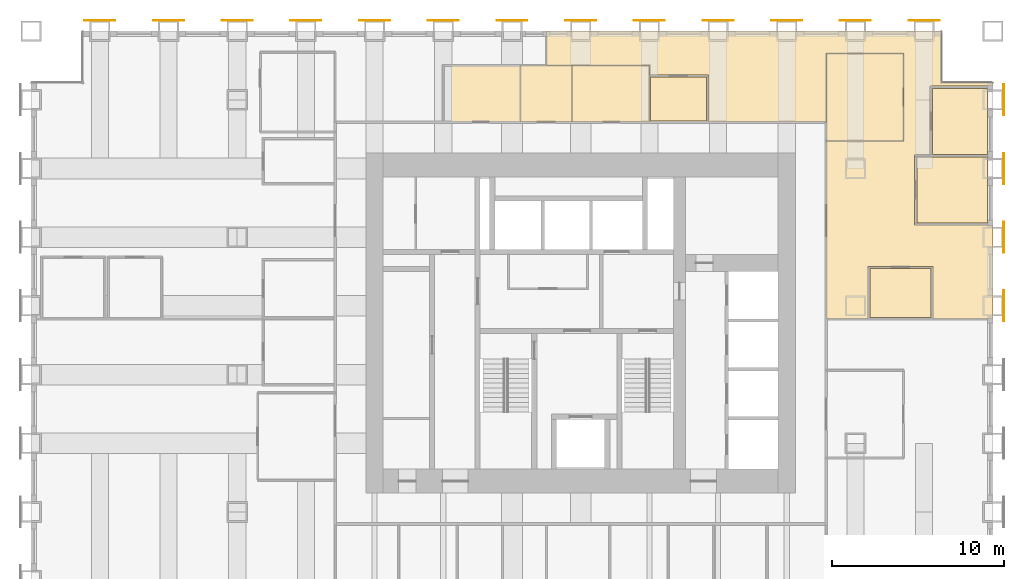
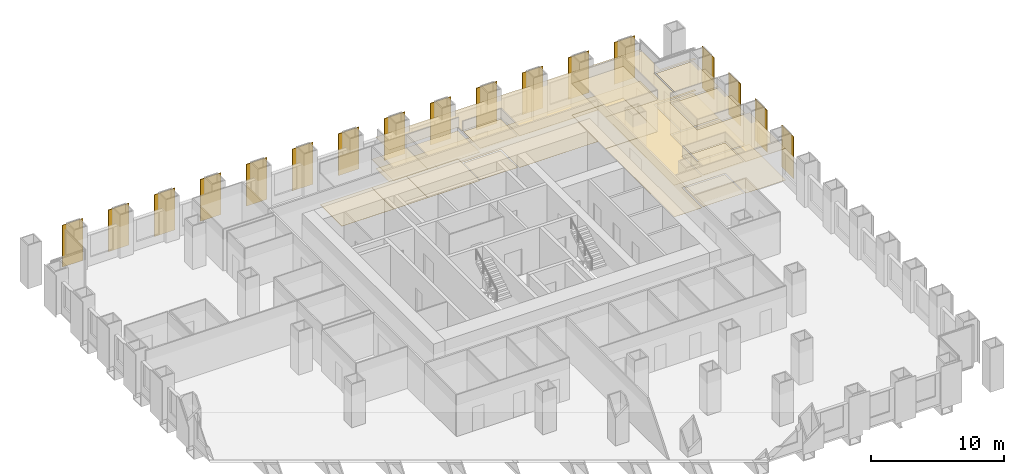
# One storey, part 14 of 14: 17 coverings, 17 shading devices.
"""IFC4 building model written with IfcOpenShell, lengths in metres."""

from ifc_helpers import new_model, si_unit, direction, frame, origin, origin_2d, place, context, subcontext, project, spatial, polyline, rectangle, outline, extrude, material, layer, layer_set, type_object, element, save


model = new_model("IFC4")

# Units and contexts
model_context = context("Model", 3, precision=1e-05, world=origin(), true_north=direction((0.0, 1.0)))
body_context = subcontext(model_context, "Body", "Model", "MODEL_VIEW")
ifc_project = project(units=[si_unit("LENGTHUNIT", "METRE"), si_unit("AREAUNIT", "SQUARE_METRE"), si_unit("VOLUMEUNIT", "CUBIC_METRE"), si_unit("PLANEANGLEUNIT", "RADIAN"), si_unit("MASSUNIT", "GRAM", prefix="KILO")], contexts=[model_context])

# Site, building, storey
site_placement = place(None, origin())
site = spatial("IfcSite", under=ifc_project, at=site_placement, CompositionType="ELEMENT")
building_placement = place(site_placement, origin())
building = spatial("IfcBuilding", under=site, at=building_placement, Name="Rimbunsela Tower", CompositionType="ELEMENT")
storey_placement = place(building_placement, frame((0.0, 0.0, 15.0)))
storey = spatial("IfcBuildingStorey", under=building, at=storey_placement, Name="L03", CompositionType="ELEMENT", Elevation=15.0)

# Coverings
ifc_material_1 = material(Name="Nylon carpet tile", Category="textile")
ifc_layer_1 = layer(ifc_material_1, 0.010009765625)
ifc_layer_set_1 = layer_set([ifc_layer_1], Name="Carpet tile 10")
covering_type_1 = type_object("IfcCoveringType", Name="Carpet tile 10", PredefinedType="FLOORING", material=ifc_layer_set_1)
covering_1_placement = place(storey_placement, origin())
element("IfcCovering", 1, at=covering_1_placement, inside=storey, type_object=covering_type_1, Name="Floor finish Open office", PredefinedType="FLOORING", context=body_context, shape_type="SweptSolid", body=[
    extrude(outline(polyline([(44.300048828125, 38.699951171875), (37.449951171875, 38.699951171875), (37.449951171875, 41.449951171875), (34.0, 41.449951171875), (34.0, 42.0), (28.0009765625, 42.0), (28.0009765625, 44.0), (44.300048828125, 44.0), (51.0, 44.0), (51.0, 41.0), (54.0, 41.0), (54.0, 40.800048828125), (50.35009765625, 40.800048828125), (50.35009765625, 36.800048828125), (49.449951171875, 36.800048828125), (49.449951171875, 32.699951171875), (54.0, 32.699951171875), (54.0, 27.2509765625), (50.52490234375, 27.2509765625), (50.52490234375, 30.300048828125), (46.72509765625, 30.300048828125), (46.72509765625, 27.2509765625), (44.300048828125, 27.2509765625), (44.300048828125, 37.60009765625), (48.800048828125, 37.60009765625), (48.800048828125, 42.699951171875), (44.300048828125, 42.699951171875), (44.300048828125, 38.699951171875)])), origin(), (0.0, 0.0, 1.0), 0.010009765625),
])
covering_2_placement = place(storey_placement, origin())
element("IfcCovering", 2, at=covering_2_placement, inside=storey, type_object=covering_type_1, Name="Floor finish Reception", PredefinedType="FLOORING", context=body_context, shape_type="SweptSolid", body=[
    extrude(outline(polyline([(48.800048828125, 37.60009765625), (48.800048828125, 42.699951171875), (44.300048828125, 42.699951171875), (44.300048828125, 37.60009765625), (48.800048828125, 37.60009765625)])), origin(), (0.0, 0.0, 1.0), 0.010009765625),
])
covering_3_placement = place(storey_placement, origin())
element("IfcCovering", 3, at=covering_3_placement, inside=storey, type_object=covering_type_1, Name="Floor finish Executive office", PredefinedType="FLOORING", context=body_context, shape_type="SweptSolid", body=[
    extrude(outline(polyline([(53.699951171875, 32.824951171875), (53.699951171875, 36.675048828125), (49.574951171875, 36.675048828125), (49.574951171875, 32.824951171875), (53.699951171875, 32.824951171875)])), origin(), (0.0, 0.0, 1.0), 0.010009765625),
])
covering_4_placement = place(storey_placement, origin())
element("IfcCovering", 4, at=covering_4_placement, inside=storey, type_object=covering_type_1, Name="Floor finish Print and copy room", PredefinedType="FLOORING", context=body_context, shape_type="SweptSolid", body=[
    extrude(outline(polyline([(53.699951171875, 36.824951171875), (53.699951171875, 40.675048828125), (50.47509765625, 40.675048828125), (50.47509765625, 36.824951171875), (53.699951171875, 36.824951171875)])), origin(), (0.0, 0.0, 1.0), 0.010009765625),
])
covering_5_placement = place(storey_placement, origin())
element("IfcCovering", 5, at=covering_5_placement, inside=storey, type_object=covering_type_1, Name="Floor finish Meeting room", PredefinedType="FLOORING", context=body_context, shape_type="SweptSolid", body=[
    extrude(outline(polyline([(50.39990234375, 27.324951171875), (50.39990234375, 30.175048828125), (46.85009765625, 30.175048828125), (46.85009765625, 27.324951171875), (50.39990234375, 27.324951171875)])), origin(), (0.0, 0.0, 1.0), 0.010009765625),
])
covering_6_placement = place(storey_placement, origin())
element("IfcCovering", 6, at=covering_6_placement, inside=storey, type_object=covering_type_1, Name="Floor finish Pantry", PredefinedType="FLOORING", context=body_context, shape_type="SweptSolid", body=[
    extrude(outline(polyline([(37.324951171875, 38.77490234375), (37.324951171875, 41.324951171875), (34.074951171875, 41.324951171875), (34.074951171875, 38.77490234375), (37.324951171875, 38.77490234375)])), origin(), (0.0, 0.0, 1.0), 0.010009765625),
])
ifc_material_2 = material(Name="Mineral fibre ceiling tile", Category="gypsum")
ifc_layer_2 = layer(ifc_material_2, 0.02001953125)
ifc_layer_set_2 = layer_set([ifc_layer_2], Name="Ceiling 600 grid")
covering_type_2 = type_object("IfcCoveringType", Name="Ceiling 600 grid", PredefinedType="CEILING", material=ifc_layer_set_2)
covering_7_placement = place(storey_placement, frame((0.0, 0.0, 2.89990234375)))
element("IfcCovering", 7, at=covering_7_placement, inside=storey, type_object=covering_type_2, Name="Ceiling Open office", PredefinedType="CEILING", context=body_context, shape_type="SweptSolid", body=[
    extrude(outline(polyline([(44.300048828125, 38.699951171875), (37.449951171875, 38.699951171875), (37.449951171875, 41.449951171875), (34.0, 41.449951171875), (34.0, 42.0), (28.0009765625, 42.0), (28.0009765625, 44.0), (44.300048828125, 44.0), (51.0, 44.0), (51.0, 41.0), (54.0, 41.0), (54.0, 40.800048828125), (50.35009765625, 40.800048828125), (50.35009765625, 36.800048828125), (49.449951171875, 36.800048828125), (49.449951171875, 32.699951171875), (54.0, 32.699951171875), (54.0, 27.2509765625), (50.52490234375, 27.2509765625), (50.52490234375, 30.300048828125), (46.72509765625, 30.300048828125), (46.72509765625, 27.2509765625), (44.300048828125, 27.2509765625), (44.300048828125, 37.60009765625), (48.800048828125, 37.60009765625), (48.800048828125, 42.699951171875), (44.300048828125, 42.699951171875), (44.300048828125, 38.699951171875)])), origin(), (0.0, 0.0, 1.0), 0.02001953125),
])
covering_8_placement = place(storey_placement, frame((0.0, 0.0, 2.89990234375)))
element("IfcCovering", 8, at=covering_8_placement, inside=storey, type_object=covering_type_2, Name="Ceiling Reception", PredefinedType="CEILING", context=body_context, shape_type="SweptSolid", body=[
    extrude(outline(polyline([(48.800048828125, 37.60009765625), (48.800048828125, 42.699951171875), (44.300048828125, 42.699951171875), (44.300048828125, 37.60009765625), (48.800048828125, 37.60009765625)])), origin(), (0.0, 0.0, 1.0), 0.02001953125),
])
covering_9_placement = place(storey_placement, frame((0.0, 0.0, 2.89990234375)))
element("IfcCovering", 9, at=covering_9_placement, inside=storey, type_object=covering_type_2, Name="Ceiling Executive office", PredefinedType="CEILING", context=body_context, shape_type="SweptSolid", body=[
    extrude(outline(polyline([(53.699951171875, 32.824951171875), (53.699951171875, 36.675048828125), (49.574951171875, 36.675048828125), (49.574951171875, 32.824951171875), (53.699951171875, 32.824951171875)])), origin(), (0.0, 0.0, 1.0), 0.02001953125),
])
covering_10_placement = place(storey_placement, frame((0.0, 0.0, 2.89990234375)))
element("IfcCovering", 10, at=covering_10_placement, inside=storey, type_object=covering_type_2, Name="Ceiling Print and copy room", PredefinedType="CEILING", context=body_context, shape_type="SweptSolid", body=[
    extrude(outline(polyline([(53.699951171875, 36.824951171875), (53.699951171875, 40.675048828125), (50.47509765625, 40.675048828125), (50.47509765625, 36.824951171875), (53.699951171875, 36.824951171875)])), origin(), (0.0, 0.0, 1.0), 0.02001953125),
])
covering_11_placement = place(storey_placement, frame((0.0, 0.0, 2.89990234375)))
element("IfcCovering", 11, at=covering_11_placement, inside=storey, type_object=covering_type_2, Name="Ceiling Meeting room", PredefinedType="CEILING", context=body_context, shape_type="SweptSolid", body=[
    extrude(outline(polyline([(50.39990234375, 27.324951171875), (50.39990234375, 30.175048828125), (46.85009765625, 30.175048828125), (46.85009765625, 27.324951171875), (50.39990234375, 27.324951171875)])), origin(), (0.0, 0.0, 1.0), 0.02001953125),
])
covering_12_placement = place(storey_placement, frame((0.0, 0.0, 2.89990234375)))
element("IfcCovering", 12, at=covering_12_placement, inside=storey, type_object=covering_type_2, Name="Ceiling Pantry", PredefinedType="CEILING", context=body_context, shape_type="SweptSolid", body=[
    extrude(outline(polyline([(37.324951171875, 38.77490234375), (37.324951171875, 41.324951171875), (34.074951171875, 41.324951171875), (34.074951171875, 38.77490234375), (37.324951171875, 38.77490234375)])), origin(), (0.0, 0.0, 1.0), 0.02001953125),
])
ifc_material_3 = material(Name="Moisture-resistant plasterboard ceiling", Category="gypsum")
ifc_layer_3 = layer(ifc_material_3, 0.012451171875)
ifc_layer_set_3 = layer_set([ifc_layer_3], Name="Ceiling moisture-resistant board")
covering_type_3 = type_object("IfcCoveringType", Name="Ceiling moisture-resistant board", PredefinedType="CEILING", material=ifc_layer_set_3)
covering_13_placement = place(storey_placement, frame((0.0, 0.0, 2.60009765625)))
element("IfcCovering", 13, at=covering_13_placement, inside=storey, type_object=covering_type_3, Name="Ceiling Accessible WC", PredefinedType="CEILING", context=body_context, shape_type="SweptSolid", body=[
    extrude(outline(polyline([(29.5, 38.699951171875), (29.5, 42.0), (26.5, 42.0), (26.5, 38.699951171875), (29.5, 38.699951171875)])), origin(), (0.0, 0.0, 1.0), 0.02001953125),
])
covering_14_placement = place(storey_placement, frame((0.0, 0.0, 2.60009765625)))
element("IfcCovering", 14, at=covering_14_placement, inside=storey, type_object=covering_type_3, Name="Ceiling Male WC", PredefinedType="CEILING", context=body_context, shape_type="SweptSolid", body=[
    extrude(outline(polyline([(34.0, 38.699951171875), (34.0, 42.0), (29.5, 42.0), (29.5, 38.699951171875), (34.0, 38.699951171875)])), origin(), (0.0, 0.0, 1.0), 0.02001953125),
])
ifc_material_4 = material(Name="Porcelain floor tile in adhesive bed", Category="ceramic")
ifc_layer_4 = layer(ifc_material_4, 0.02001953125)
ifc_layer_set_4 = layer_set([ifc_layer_4], Name="Porcelain tile 20")
covering_type_4 = type_object("IfcCoveringType", Name="Porcelain tile 20", PredefinedType="FLOORING", material=ifc_layer_set_4)
covering_15_placement = place(storey_placement, origin())
element("IfcCovering", 15, at=covering_15_placement, inside=storey, type_object=covering_type_4, Name="Floor finish Female WC", PredefinedType="FLOORING", context=body_context, shape_type="SweptSolid", body=[
    extrude(outline(polyline([(26.5, 38.699951171875), (26.5, 42.0), (22.0, 42.0), (22.0, 38.699951171875), (26.5, 38.699951171875)])), origin(), (0.0, 0.0, 1.0), 0.02001953125),
])
covering_16_placement = place(storey_placement, origin())
element("IfcCovering", 16, at=covering_16_placement, inside=storey, type_object=covering_type_4, Name="Floor finish Accessible WC", PredefinedType="FLOORING", context=body_context, shape_type="SweptSolid", body=[
    extrude(outline(polyline([(29.5, 38.699951171875), (29.5, 42.0), (26.5, 42.0), (26.5, 38.699951171875), (29.5, 38.699951171875)])), origin(), (0.0, 0.0, 1.0), 0.02001953125),
])
covering_17_placement = place(storey_placement, origin())
element("IfcCovering", 17, at=covering_17_placement, inside=storey, type_object=covering_type_4, Name="Floor finish Male WC", PredefinedType="FLOORING", context=body_context, shape_type="SweptSolid", body=[
    extrude(outline(polyline([(34.0, 38.699951171875), (34.0, 42.0), (29.5, 42.0), (29.5, 38.699951171875), (34.0, 38.699951171875)])), origin(), (0.0, 0.0, 1.0), 0.02001953125),
])

# Shading devices
ifc_material_5 = material(Name="Perforated aluminium, 35 % open area", Category="aluminium")
ifc_layer_5 = layer(ifc_material_5, 0.050048828125)
ifc_layer_set_5 = layer_set([ifc_layer_5], Name="Solar screen panel 1800")
shading_device_type = type_object("IfcShadingDeviceType", Name="Solar screen panel 1800", PredefinedType="USERDEFINED", material=ifc_layer_set_5)
for number, where, z_axis, x_axis, name in (
    (18, (54.625, 28.0, 0.0), (0.0, 0.0, 1.0), (0.0, 1.0, 0.0), "Solar screen E L03"),
    (19, (54.625, 32.0, 0.0), (0.0, 0.0, 1.0), (0.0, 1.0, 0.0), "Solar screen E L03"),
    (20, (54.625, 36.0, 0.0), (0.0, 0.0, 1.0), (0.0, 1.0, 0.0), "Solar screen E L03"),
    (21, (54.625, 40.0, 0.0), (0.0, 0.0, 1.0), (0.0, 1.0, 0.0), "Solar screen E L03"),
    (22, (2.0, 44.625, 0.0), (0.0, 0.0, 1.0), (1.0, 0.0, 0.0), "Solar screen N L03"),
    (23, (6.0, 44.625, 0.0), (0.0, 0.0, 1.0), (1.0, 0.0, 0.0), "Solar screen N L03"),
    (24, (10.0, 44.625, 0.0), (0.0, 0.0, 1.0), (1.0, 0.0, 0.0), "Solar screen N L03"),
    (25, (14.0, 44.625, 0.0), (0.0, 0.0, 1.0), (1.0, 0.0, 0.0), "Solar screen N L03"),
    (26, (18.0, 44.625, 0.0), (0.0, 0.0, 1.0), (1.0, 0.0, 0.0), "Solar screen N L03"),
    (27, (22.0, 44.625, 0.0), (0.0, 0.0, 1.0), (1.0, 0.0, 0.0), "Solar screen N L03"),
    (28, (26.0, 44.625, 0.0), (0.0, 0.0, 1.0), (1.0, 0.0, 0.0), "Solar screen N L03"),
    (29, (30.0, 44.625, 0.0), (0.0, 0.0, 1.0), (1.0, 0.0, 0.0), "Solar screen N L03"),
    (30, (34.0, 44.625, 0.0), (0.0, 0.0, 1.0), (1.0, 0.0, 0.0), "Solar screen N L03"),
    (31, (38.0, 44.625, 0.0), (0.0, 0.0, 1.0), (1.0, 0.0, 0.0), "Solar screen N L03"),
    (32, (42.0, 44.625, 0.0), (0.0, 0.0, 1.0), (1.0, 0.0, 0.0), "Solar screen N L03"),
    (33, (46.0, 44.625, 0.0), (0.0, 0.0, 1.0), (1.0, 0.0, 0.0), "Solar screen N L03"),
    (34, (50.0, 44.625, 0.0), (0.0, 0.0, 1.0), (1.0, 0.0, 0.0), "Solar screen N L03"),
):
    element("IfcShadingDevice", number, at=place(storey_placement, frame(where, z_axis=z_axis, x_axis=x_axis)), inside=storey, type_object=shading_device_type, Name=name, ObjectType="SCREEN", PredefinedType="USERDEFINED", context=body_context, shape_type="SweptSolid", body=[
        extrude(rectangle(XDim=1.800048828125, YDim=0.050048828125, at=origin_2d()), origin(), (0.0, 0.0, 1.0), 3.85009765625),
    ])

save(model, "model.ifc")
